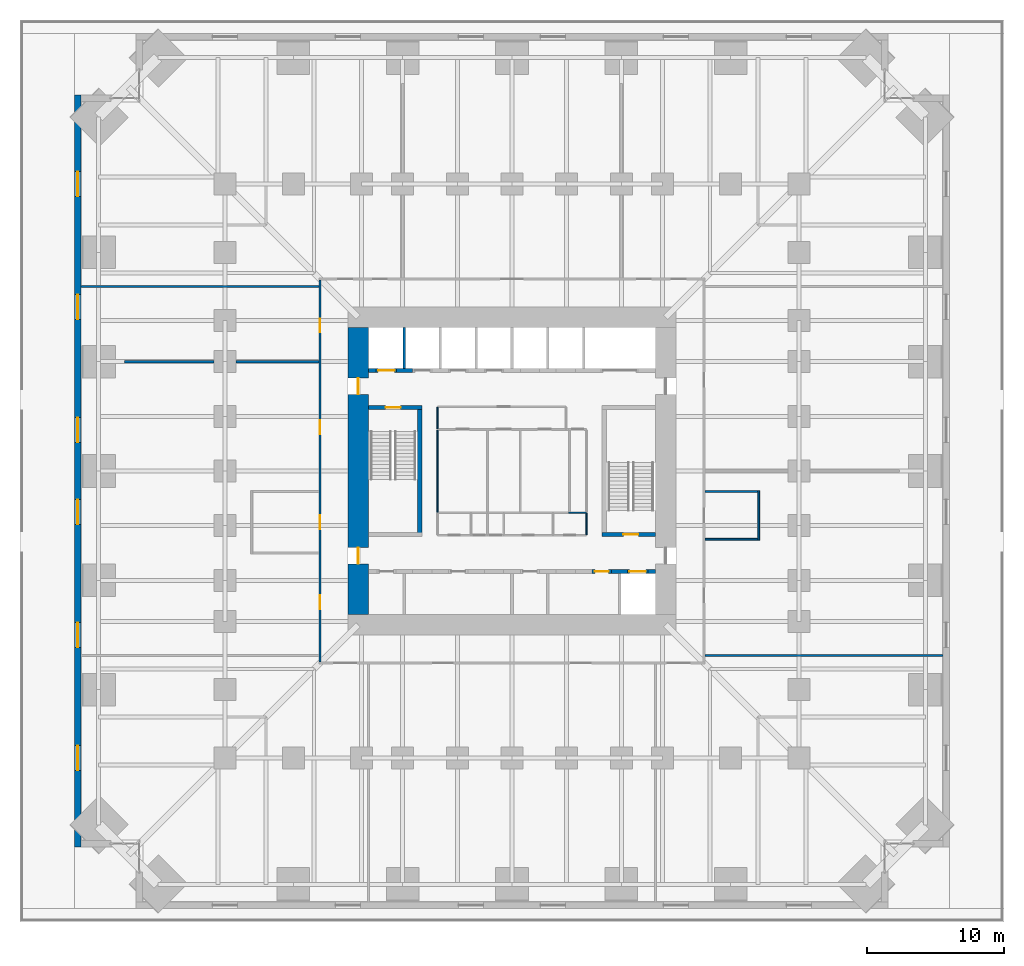
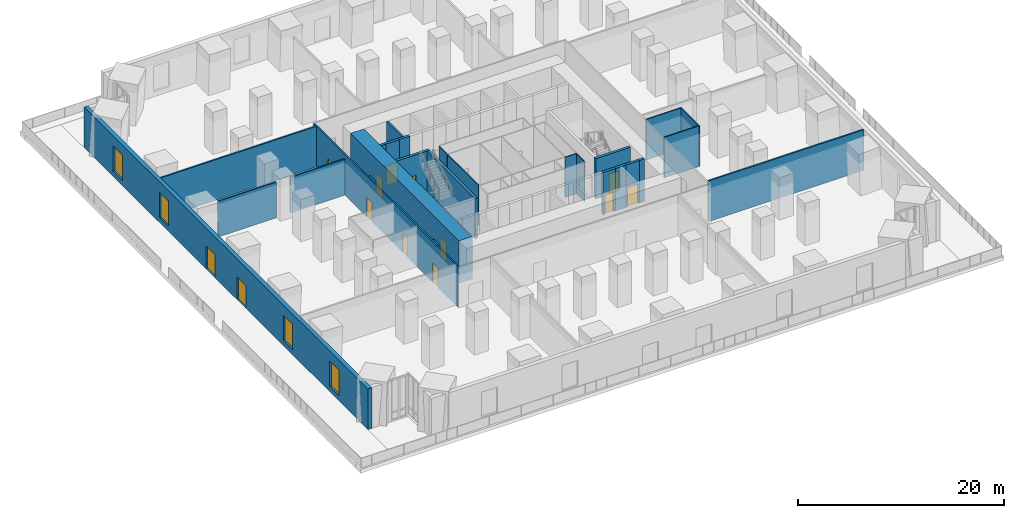
# One storey, part 21 of 26: 25 walls, 13 doors, 4 windows, 17 openings.
"""IFC4 building model written with IfcOpenShell, lengths in metres."""

from ifc_helpers import new_model, si_unit, direction, frame, frame_2d, origin, place, context, subcontext, project, spatial, rectangle, extrude, material, layer, layer_set, type_object, element, fill, save


model = new_model("IFC4")

# Units and contexts
model_context = context("Model", 3, precision=1e-05, world=origin(), true_north=direction((0.0, 1.0)))
body_context = subcontext(model_context, "Body", "Model", "MODEL_VIEW")
ifc_project = project(units=[si_unit("LENGTHUNIT", "METRE"), si_unit("AREAUNIT", "SQUARE_METRE"), si_unit("VOLUMEUNIT", "CUBIC_METRE"), si_unit("PLANEANGLEUNIT", "RADIAN"), si_unit("MASSUNIT", "GRAM", prefix="KILO")], contexts=[model_context])

# Site, building, storey
site_placement = place(None, origin())
site = spatial("IfcSite", under=ifc_project, at=site_placement, CompositionType="ELEMENT")
building_placement = place(site_placement, origin())
building = spatial("IfcBuilding", under=site, at=building_placement, Name="Peilmerk Tower", CompositionType="ELEMENT")
storey_placement = place(building_placement, frame((0.0, 0.0, 16.0)))
storey = spatial("IfcBuildingStorey", under=building, at=storey_placement, Name="L03", CompositionType="ELEMENT", Elevation=16.0)

# Wall, openings, doors, windows
ifc_material_1 = material(Name="Precast concrete C45/55, board-marked finish", Category="concrete")
ifc_layer_1 = layer(ifc_material_1, 0.449951171875)
ifc_layer_set_1 = layer_set([ifc_layer_1], Name="Precast concrete C45/55, board-marked finish")
wall_type_1 = type_object("IfcWallType", Name="EW1 450 precast concrete facade wall, board-marked", PredefinedType="SOLIDWALL", material=ifc_layer_set_1)
wall_1_placement = place(storey_placement, frame((-31.77490234375, 27.5, 0.0), z_axis=(0.0, 0.0, 1.0), x_axis=(0.0, -1.0, 0.0)))
wall_1 = element("IfcWall", 1, at=wall_1_placement, inside=storey, type_object=wall_type_1, Name="Facade wall W L03", PredefinedType="SOLIDWALL", context=body_context, shape_type="SweptSolid", body=[
    extrude(rectangle(XDim=55.0, YDim=0.449951171875, at=frame_2d((27.5, 0.0))), origin(), (0.0, 0.0, 1.0), 4.800048828125),
])
opening_1_placement = place(wall_1_placement, frame((5.60009765625, 0.0, 0.60009765625)))
opening_1 = element("IfcOpeningElement", 2, at=opening_1_placement, cuts=wall_1, Name="Opening W7", PredefinedType="OPENING", context=body_context, shape_type="SweptSolid", body=[
    extrude(rectangle(XDim=1.800048828125, YDim=3.0, at=frame_2d((0.89990234375, 1.5))), frame((0.0, 0.23486328125, 0.0), z_axis=(0.0, -1.0, 0.0), x_axis=(1.0, 0.0, 0.0)), (0.0, 0.0, 1.0), 0.469970703125),
])
opening_2_placement = place(wall_1_placement, frame((14.60009765625, 0.0, 0.60009765625)))
opening_2 = element("IfcOpeningElement", 3, at=opening_2_placement, cuts=wall_1, Name="Opening W7", PredefinedType="OPENING", context=body_context, shape_type="SweptSolid", body=[
    extrude(rectangle(XDim=1.800048828125, YDim=3.0, at=frame_2d((0.89990234375, 1.5))), frame((0.0, 0.23486328125, 0.0), z_axis=(0.0, -1.0, 0.0), x_axis=(1.0, 0.0, 0.0)), (0.0, 0.0, 1.0), 0.469970703125),
])
opening_3_placement = place(wall_1_placement, frame((38.60009765625, 0.0, 0.60009765625)))
opening_3 = element("IfcOpeningElement", 4, at=opening_3_placement, cuts=wall_1, Name="Opening W7", PredefinedType="OPENING", context=body_context, shape_type="SweptSolid", body=[
    extrude(rectangle(XDim=1.800048828125, YDim=3.0, at=frame_2d((0.89990234375, 1.5))), frame((0.0, 0.23486328125, 0.0), z_axis=(0.0, -1.0, 0.0), x_axis=(1.0, 0.0, 0.0)), (0.0, 0.0, 1.0), 0.469970703125),
])
opening_4_placement = place(wall_1_placement, frame((47.60009765625, 0.0, 0.60009765625)))
opening_4 = element("IfcOpeningElement", 5, at=opening_4_placement, cuts=wall_1, Name="Opening W7", PredefinedType="OPENING", context=body_context, shape_type="SweptSolid", body=[
    extrude(rectangle(XDim=1.800048828125, YDim=3.0, at=frame_2d((0.89990234375, 1.5))), frame((0.0, 0.23486328125, 0.0), z_axis=(0.0, -1.0, 0.0), x_axis=(1.0, 0.0, 0.0)), (0.0, 0.0, 1.0), 0.469970703125),
])
opening_5_placement = place(wall_1_placement, frame((23.60009765625, 0.0, 0.0)))
opening_5 = element("IfcOpeningElement", 6, at=opening_5_placement, cuts=wall_1, Name="Opening ED4", PredefinedType="OPENING", context=body_context, shape_type="SweptSolid", body=[
    extrude(rectangle(XDim=1.800048828125, YDim=2.699951171875, at=frame_2d((0.89990234375, 1.35009765625))), frame((0.0, 0.23486328125, 0.0), z_axis=(0.0, -1.0, 0.0), x_axis=(1.0, 0.0, 0.0)), (0.0, 0.0, 1.0), 0.469970703125),
])
opening_6_placement = place(wall_1_placement, frame((29.60009765625, 0.0, 0.0)))
opening_6 = element("IfcOpeningElement", 7, at=opening_6_placement, cuts=wall_1, Name="Opening ED4", PredefinedType="OPENING", context=body_context, shape_type="SweptSolid", body=[
    extrude(rectangle(XDim=1.800048828125, YDim=2.699951171875, at=frame_2d((0.89990234375, 1.35009765625))), frame((0.0, 0.23486328125, 0.0), z_axis=(0.0, -1.0, 0.0), x_axis=(1.0, 0.0, 0.0)), (0.0, 0.0, 1.0), 0.469970703125),
])
ifc_material_2 = material(Name="Aluminium frame, clear glazing", Category="aluminium")
door_type_1 = type_object("IfcDoorType", Name="ED4 1800x2700 terrace door pair, glazed", OperationType="DOUBLE_DOOR_DOUBLE_SWING", PredefinedType="DOOR", material=ifc_material_2)
door_1_placement = place(opening_5_placement, frame((1.800048828125, 0.0, 0.0), z_axis=(0.0, 0.0, 1.0), x_axis=(-1.0, 0.0, 0.0)))
door_1 = element("IfcDoor", 8, at=door_1_placement, inside=storey, type_object=door_type_1, Name="Terrace door pair, glazed L03", OperationType="DOUBLE_DOOR_DOUBLE_SWING", OverallHeight=2.699951171875, OverallWidth=1.800048828125, PredefinedType="DOOR", context=body_context, shape_type="SweptSolid", body=[
    extrude(rectangle(XDim=1.800048828125, YDim=2.699951171875, at=frame_2d((0.89990234375, 1.35009765625))), frame((0.0, 0.02490234375, 0.0), z_axis=(0.0, -1.0, 0.0), x_axis=(1.0, 0.0, 0.0)), (0.0, 0.0, 1.0), 0.050048828125),
])
fill(opening_5, door_1)
door_2_placement = place(opening_6_placement, frame((1.800048828125, 0.0, 0.0), z_axis=(0.0, 0.0, 1.0), x_axis=(-1.0, 0.0, 0.0)))
door_2 = element("IfcDoor", 9, at=door_2_placement, inside=storey, type_object=door_type_1, Name="Terrace door pair, glazed L03", OperationType="DOUBLE_DOOR_DOUBLE_SWING", OverallHeight=2.699951171875, OverallWidth=1.800048828125, PredefinedType="DOOR", context=body_context, shape_type="SweptSolid", body=[
    extrude(rectangle(XDim=1.800048828125, YDim=2.699951171875, at=frame_2d((0.89990234375, 1.35009765625))), frame((0.0, 0.02490234375, 0.0), z_axis=(0.0, -1.0, 0.0), x_axis=(1.0, 0.0, 0.0)), (0.0, 0.0, 1.0), 0.050048828125),
])
fill(opening_6, door_2)
ifc_material_3 = material(Name="Aluminium frame, clear double glazing", Category="aluminium")
window_type = type_object("IfcWindowType", Name="W7 1800x3000 podium window", PartitioningType="SINGLE_PANEL", PredefinedType="WINDOW", material=ifc_material_3)
window_1_placement = place(opening_1_placement, origin())
window_1 = element("IfcWindow", 10, at=window_1_placement, inside=storey, type_object=window_type, Name="Window W7 L03", OverallHeight=3.0, OverallWidth=1.800048828125, PartitioningType="SINGLE_PANEL", PredefinedType="WINDOW", context=body_context, shape_type="SweptSolid", body=[
    extrude(rectangle(XDim=1.800048828125, YDim=3.0, at=frame_2d((0.89990234375, 1.5))), frame((0.0, 0.030029296875, 0.0), z_axis=(0.0, -1.0, 0.0), x_axis=(1.0, 0.0, 0.0)), (0.0, 0.0, 1.0), 0.06005859375),
])
fill(opening_1, window_1)
window_2_placement = place(opening_2_placement, origin())
window_2 = element("IfcWindow", 11, at=window_2_placement, inside=storey, type_object=window_type, Name="Window W7 L03", OverallHeight=3.0, OverallWidth=1.800048828125, PartitioningType="SINGLE_PANEL", PredefinedType="WINDOW", context=body_context, shape_type="SweptSolid", body=[
    extrude(rectangle(XDim=1.800048828125, YDim=3.0, at=frame_2d((0.89990234375, 1.5))), frame((0.0, 0.030029296875, 0.0), z_axis=(0.0, -1.0, 0.0), x_axis=(1.0, 0.0, 0.0)), (0.0, 0.0, 1.0), 0.06005859375),
])
fill(opening_2, window_2)
window_3_placement = place(opening_3_placement, origin())
window_3 = element("IfcWindow", 12, at=window_3_placement, inside=storey, type_object=window_type, Name="Window W7 L03", OverallHeight=3.0, OverallWidth=1.800048828125, PartitioningType="SINGLE_PANEL", PredefinedType="WINDOW", context=body_context, shape_type="SweptSolid", body=[
    extrude(rectangle(XDim=1.800048828125, YDim=3.0, at=frame_2d((0.89990234375, 1.5))), frame((0.0, 0.030029296875, 0.0), z_axis=(0.0, -1.0, 0.0), x_axis=(1.0, 0.0, 0.0)), (0.0, 0.0, 1.0), 0.06005859375),
])
fill(opening_3, window_3)
window_4_placement = place(opening_4_placement, origin())
window_4 = element("IfcWindow", 13, at=window_4_placement, inside=storey, type_object=window_type, Name="Window W7 L03", OverallHeight=3.0, OverallWidth=1.800048828125, PartitioningType="SINGLE_PANEL", PredefinedType="WINDOW", context=body_context, shape_type="SweptSolid", body=[
    extrude(rectangle(XDim=1.800048828125, YDim=3.0, at=frame_2d((0.89990234375, 1.5))), frame((0.0, 0.030029296875, 0.0), z_axis=(0.0, -1.0, 0.0), x_axis=(1.0, 0.0, 0.0)), (0.0, 0.0, 1.0), 0.06005859375),
])
fill(opening_4, window_4)

# Wall, openings, doors
ifc_material_4 = material(Name="Calcium silicate block", Category="masonry")
ifc_layer_2 = layer(ifc_material_4, 0.14990234375)
ifc_layer_set_2 = layer_set([ifc_layer_2], Name="Calcium silicate block")
wall_type_2 = type_object("IfcWallType", Name="IW1 150 corridor partition, EI 60", PredefinedType="PARTITIONING", material=ifc_layer_set_2)
wall_2_placement = place(storey_placement, frame((-14.050048828125, 13.97509765625, 0.0), z_axis=(0.0, 0.0, 1.0), x_axis=(0.0, -1.0, 0.0)))
wall_2 = element("IfcWall", 14, at=wall_2_placement, inside=storey, type_object=wall_type_2, Name="Corridor wall W L03", PredefinedType="PARTITIONING", context=body_context, shape_type="SweptSolid", body=[
    extrude(rectangle(XDim=27.9501953125, YDim=0.14990234375, at=frame_2d((13.97509765625, 0.0))), origin(), (0.0, 0.0, 1.0), 4.800048828125),
])
opening_7_placement = place(wall_2_placement, frame((23.074951171875, 0.0, 0.0)))
opening_7 = element("IfcOpeningElement", 15, at=opening_7_placement, cuts=wall_2, Name="Opening D1", PredefinedType="OPENING", context=body_context, shape_type="SweptSolid", body=[
    extrude(rectangle(XDim=1.0, YDim=2.300048828125, at=frame_2d((0.5, 1.14990234375))), frame((0.0, 0.0849609375, 0.0), z_axis=(0.0, -1.0, 0.0), x_axis=(1.0, 0.0, 0.0)), (0.0, 0.0, 1.0), 0.169921875),
])
opening_8_placement = place(wall_2_placement, frame((10.27490234375, 0.0, 0.0)))
opening_8 = element("IfcOpeningElement", 16, at=opening_8_placement, cuts=wall_2, Name="Opening D1", PredefinedType="OPENING", context=body_context, shape_type="SweptSolid", body=[
    extrude(rectangle(XDim=1.0, YDim=2.300048828125, at=frame_2d((0.5, 1.14990234375))), frame((0.0, 0.0849609375, 0.0), z_axis=(0.0, -1.0, 0.0), x_axis=(1.0, 0.0, 0.0)), (0.0, 0.0, 1.0), 0.169921875),
])
opening_9_placement = place(wall_2_placement, frame((2.824951171875, 0.0, 0.0)))
opening_9 = element("IfcOpeningElement", 17, at=opening_9_placement, cuts=wall_2, Name="Opening D1", PredefinedType="OPENING", context=body_context, shape_type="SweptSolid", body=[
    extrude(rectangle(XDim=1.0, YDim=2.300048828125, at=frame_2d((0.5, 1.14990234375))), frame((0.0, 0.0849609375, 0.0), z_axis=(0.0, -1.0, 0.0), x_axis=(1.0, 0.0, 0.0)), (0.0, 0.0, 1.0), 0.169921875),
])
opening_10_placement = place(wall_2_placement, frame((17.22509765625, 0.0, 0.0)))
opening_10 = element("IfcOpeningElement", 18, at=opening_10_placement, cuts=wall_2, Name="Opening D1", PredefinedType="OPENING", context=body_context, shape_type="SweptSolid", body=[
    extrude(rectangle(XDim=1.0, YDim=2.300048828125, at=frame_2d((0.5, 1.14990234375))), frame((0.0, 0.0849609375, 0.0), z_axis=(0.0, -1.0, 0.0), x_axis=(1.0, 0.0, 0.0)), (0.0, 0.0, 1.0), 0.169921875),
])
ifc_material_5 = material(Name="Timber door in steel frame", Category="steel")
door_type_2 = type_object("IfcDoorType", Name="D1 1000x2300 room door, EI2 30", OperationType="SINGLE_SWING_LEFT", PredefinedType="DOOR", material=ifc_material_5)
door_3_placement = place(opening_7_placement, frame((1.0, 0.0, 0.0), z_axis=(0.0, 0.0, 1.0), x_axis=(-1.0, 0.0, 0.0)))
door_3 = element("IfcDoor", 19, at=door_3_placement, inside=storey, type_object=door_type_2, Name="Door Office L03", OperationType="SINGLE_SWING_LEFT", OverallHeight=2.300048828125, OverallWidth=1.0, PredefinedType="DOOR", context=body_context, shape_type="SweptSolid", body=[
    extrude(rectangle(XDim=1.0, YDim=2.300048828125, at=frame_2d((0.5, 1.14990234375))), frame((0.0, 0.02490234375, 0.0), z_axis=(0.0, -1.0, 0.0), x_axis=(1.0, 0.0, 0.0)), (0.0, 0.0, 1.0), 0.050048828125),
])
fill(opening_7, door_3)
door_4_placement = place(opening_8_placement, frame((1.0, 0.0, 0.0), z_axis=(0.0, 0.0, 1.0), x_axis=(-1.0, 0.0, 0.0)))
door_4 = element("IfcDoor", 20, at=door_4_placement, inside=storey, type_object=door_type_2, Name="Door Office L03", OperationType="SINGLE_SWING_LEFT", OverallHeight=2.300048828125, OverallWidth=1.0, PredefinedType="DOOR", context=body_context, shape_type="SweptSolid", body=[
    extrude(rectangle(XDim=1.0, YDim=2.300048828125, at=frame_2d((0.5, 1.14990234375))), frame((0.0, 0.02490234375, 0.0), z_axis=(0.0, -1.0, 0.0), x_axis=(1.0, 0.0, 0.0)), (0.0, 0.0, 1.0), 0.050048828125),
])
fill(opening_8, door_4)
door_5_placement = place(opening_9_placement, frame((1.0, 0.0, 0.0), z_axis=(0.0, 0.0, 1.0), x_axis=(-1.0, 0.0, 0.0)))
door_5 = element("IfcDoor", 21, at=door_5_placement, inside=storey, type_object=door_type_2, Name="Door Changing room L03", OperationType="SINGLE_SWING_LEFT", OverallHeight=2.300048828125, OverallWidth=1.0, PredefinedType="DOOR", context=body_context, shape_type="SweptSolid", body=[
    extrude(rectangle(XDim=1.0, YDim=2.300048828125, at=frame_2d((0.5, 1.14990234375))), frame((0.0, 0.02490234375, 0.0), z_axis=(0.0, -1.0, 0.0), x_axis=(1.0, 0.0, 0.0)), (0.0, 0.0, 1.0), 0.050048828125),
])
fill(opening_9, door_5)
door_6_placement = place(opening_10_placement, frame((1.0, 0.0, 0.0), z_axis=(0.0, 0.0, 1.0), x_axis=(-1.0, 0.0, 0.0)))
door_6 = element("IfcDoor", 22, at=door_6_placement, inside=storey, type_object=door_type_2, Name="Door Meeting room L03", OperationType="SINGLE_SWING_LEFT", OverallHeight=2.300048828125, OverallWidth=1.0, PredefinedType="DOOR", context=body_context, shape_type="SweptSolid", body=[
    extrude(rectangle(XDim=1.0, YDim=2.300048828125, at=frame_2d((0.5, 1.14990234375))), frame((0.0, 0.02490234375, 0.0), z_axis=(0.0, -1.0, 0.0), x_axis=(1.0, 0.0, 0.0)), (0.0, 0.0, 1.0), 0.050048828125),
])
fill(opening_10, door_6)

# Wall
ifc_material_6 = material(Name="Concrete C35/45", Category="concrete")
ifc_layer_3 = layer(ifc_material_6, 0.300048828125)
ifc_layer_set_3 = layer_set([ifc_layer_3], Name="Concrete C35/45")
wall_type_3 = type_object("IfcWallType", Name="IW3 300 concrete stair enclosure wall, EI 120", PredefinedType="SOLIDWALL", material=ifc_layer_set_3)
wall_3_placement = place(storey_placement, frame((-6.75, -4.800048828125, 0.0), z_axis=(0.0, 0.0, 1.0), x_axis=(0.0, 1.0, 0.0)))
element("IfcWall", 23, at=wall_3_placement, inside=storey, type_object=wall_type_3, Name="Stair 1 enclosure L03", PredefinedType="SOLIDWALL", context=body_context, shape_type="SweptSolid", body=[
    extrude(rectangle(XDim=9.60009765625, YDim=0.300048828125, at=frame_2d((4.800048828125, 0.0))), origin(), (0.0, 0.0, 1.0), 4.75),
])

# Wall, opening, door
wall_4_placement = place(storey_placement, frame((-10.5, 4.64990234375, 0.0), z_axis=(0.0, 0.0, 1.0), x_axis=(1.0, 0.0, 0.0)))
wall_4 = element("IfcWall", 24, at=wall_4_placement, inside=storey, type_object=wall_type_3, Name="Stair 1 enclosure L03", PredefinedType="SOLIDWALL", context=body_context, shape_type="SweptSolid", body=[
    extrude(rectangle(XDim=3.89990234375, YDim=0.300048828125, at=frame_2d((1.949951171875, 0.0))), origin(), (0.0, 0.0, 1.0), 4.75),
])
opening_11_placement = place(wall_4_placement, frame((1.25, 0.0, 0.0)))
opening_11 = element("IfcOpeningElement", 25, at=opening_11_placement, cuts=wall_4, Name="Opening D4", PredefinedType="OPENING", context=body_context, shape_type="SweptSolid", body=[
    extrude(rectangle(XDim=1.10009765625, YDim=2.300048828125, at=frame_2d((0.550048828125, 1.14990234375))), frame((0.0, 0.159912109375, 0.0), z_axis=(0.0, -1.0, 0.0), x_axis=(1.0, 0.0, 0.0)), (0.0, 0.0, 1.0), 0.320068359375),
])
ifc_material_7 = material(Name="Steel door in steel frame", Category="steel")
door_type_3 = type_object("IfcDoorType", Name="D4 1100x2300 stair door, EI2 60", OperationType="SINGLE_SWING_RIGHT", PredefinedType="DOOR", material=ifc_material_7)
door_7_placement = place(opening_11_placement, frame((1.10009765625, 0.0, 0.0), z_axis=(0.0, 0.0, 1.0), x_axis=(-1.0, 0.0, 0.0)))
door_7 = element("IfcDoor", 26, at=door_7_placement, inside=storey, type_object=door_type_3, Name="Stair 1 door L03", OperationType="SINGLE_SWING_RIGHT", OverallHeight=2.300048828125, OverallWidth=1.10009765625, PredefinedType="DOOR", context=body_context, shape_type="SweptSolid", body=[
    extrude(rectangle(XDim=1.10009765625, YDim=2.300048828125, at=frame_2d((0.550048828125, 1.14990234375))), frame((0.0, 0.02490234375, 0.0), z_axis=(0.0, -1.0, 0.0), x_axis=(1.0, 0.0, 0.0)), (0.0, 0.0, 1.0), 0.050048828125),
])
fill(opening_11, door_7)

wall_5_placement = place(storey_placement, frame((10.5, -4.64990234375, 0.0), z_axis=(0.0, 0.0, 1.0), x_axis=(-1.0, 0.0, 0.0)))
wall_5 = element("IfcWall", 27, at=wall_5_placement, inside=storey, type_object=wall_type_3, Name="Stair 2 enclosure L03", PredefinedType="SOLIDWALL", context=body_context, shape_type="SweptSolid", body=[
    extrude(rectangle(XDim=3.89990234375, YDim=0.300048828125, at=frame_2d((1.949951171875, 0.0))), origin(), (0.0, 0.0, 1.0), 4.75),
])
opening_12_placement = place(wall_5_placement, frame((1.25, 0.0, 0.0)))
opening_12 = element("IfcOpeningElement", 28, at=opening_12_placement, cuts=wall_5, Name="Opening D4", PredefinedType="OPENING", context=body_context, shape_type="SweptSolid", body=[
    extrude(rectangle(XDim=1.10009765625, YDim=2.300048828125, at=frame_2d((0.550048828125, 1.14990234375))), frame((0.0, 0.159912109375, 0.0), z_axis=(0.0, -1.0, 0.0), x_axis=(1.0, 0.0, 0.0)), (0.0, 0.0, 1.0), 0.320068359375),
])
door_8_placement = place(opening_12_placement, frame((1.10009765625, 0.0, 0.0), z_axis=(0.0, 0.0, 1.0), x_axis=(-1.0, 0.0, 0.0)))
door_8 = element("IfcDoor", 29, at=door_8_placement, inside=storey, type_object=door_type_3, Name="Stair 2 door L03", OperationType="SINGLE_SWING_RIGHT", OverallHeight=2.300048828125, OverallWidth=1.10009765625, PredefinedType="DOOR", context=body_context, shape_type="SweptSolid", body=[
    extrude(rectangle(XDim=1.10009765625, YDim=2.300048828125, at=frame_2d((0.550048828125, 1.14990234375))), frame((0.0, 0.02490234375, 0.0), z_axis=(0.0, -1.0, 0.0), x_axis=(1.0, 0.0, 0.0)), (0.0, 0.0, 1.0), 0.050048828125),
])
fill(opening_12, door_8)

# Walls
ifc_material_8 = material(Name="Plasterboard on steel studs", Category="steel")
ifc_layer_4 = layer(ifc_material_8, 0.10009765625)
ifc_layer_set_4 = layer_set([ifc_layer_4], Name="Plasterboard on steel studs")
wall_type_4 = type_object("IfcWallType", Name="IW4 100 WC partition", PredefinedType="PARTITIONING", material=ifc_layer_set_4)
wall_6_placement = place(storey_placement, frame((-5.449951171875, -3.0, 0.0), z_axis=(0.0, 0.0, 1.0), x_axis=(0.0, 1.0, 0.0)))
element("IfcWall", 30, at=wall_6_placement, inside=storey, type_object=wall_type_4, Name="WC wall L03", PredefinedType="PARTITIONING", context=body_context, shape_type="SweptSolid", body=[
    extrude(rectangle(XDim=6.0, YDim=0.10009765625, at=frame_2d((3.0, 0.0))), origin(), (0.0, 0.0, 1.0), 4.75),
])
ifc_material_9 = material(Name="Calcium silicate board on steel studs", Category="steel")
ifc_layer_5 = layer(ifc_material_9, 0.10009765625)
ifc_layer_set_5 = layer_set([ifc_layer_5], Name="Calcium silicate board on steel studs")
wall_type_5 = type_object("IfcWallType", Name="IW5 100 riser enclosure wall, EI 60", PredefinedType="PARTITIONING", material=ifc_layer_set_5)
wall_7_placement = place(storey_placement, frame((5.449951171875, -3.050048828125, 0.0), z_axis=(0.0, 0.0, 1.0), x_axis=(-1.0, 0.0, 0.0)))
element("IfcWall", 31, at=wall_7_placement, inside=storey, type_object=wall_type_5, Name="Riser wall L03", PredefinedType="PARTITIONING", context=body_context, shape_type="SweptSolid", body=[
    extrude(rectangle(XDim=1.300048828125, YDim=0.10009765625, at=frame_2d((0.64990234375, 0.0))), origin(), (0.0, 0.0, 1.0), 4.75),
])
wall_8_placement = place(storey_placement, frame((5.449951171875, -3.10009765625, 0.0), z_axis=(0.0, 0.0, 1.0), x_axis=(0.0, -1.0, 0.0)))
element("IfcWall", 32, at=wall_8_placement, inside=storey, type_object=wall_type_5, Name="Riser wall L03", PredefinedType="PARTITIONING", context=body_context, shape_type="SweptSolid", body=[
    extrude(rectangle(XDim=1.5498046875, YDim=0.10009765625, at=frame_2d((0.77490234375, 0.0))), origin(), (0.0, 0.0, 1.0), 4.75),
])
ifc_material_10 = material(Name="Plasterboard on steel studs, double boarded with mineral wool", Category="steel")
ifc_layer_6 = layer(ifc_material_10, 0.125)
ifc_layer_set_6 = layer_set([ifc_layer_6], Name="Plasterboard on steel studs, double boarded with mineral wool")
wall_type_6 = type_object("IfcWallType", Name="IW7 125 acoustic partition, EI 30", PredefinedType="PARTITIONING", material=ifc_layer_set_6)
wall_9_placement = place(storey_placement, frame((18.050048828125, -5.0625, 0.0), z_axis=(0.0, 0.0, 1.0), x_axis=(0.0, 1.0, 0.0)))
element("IfcWall", 33, at=wall_9_placement, inside=storey, type_object=wall_type_6, Name="Acoustic partition Pantry L03", PredefinedType="PARTITIONING", context=body_context, shape_type="SweptSolid", body=[
    extrude(rectangle(XDim=3.625, YDim=0.125, at=frame_2d((1.8125, 0.0))), origin(), (0.0, 0.0, 1.0), 4.800048828125),
])
for number, where, z_axis, x_axis, name in (
    (34, (14.125, -5.0, 0.0), (0.0, 0.0, 1.0), (1.0, 0.0, 0.0), "Acoustic partition Pantry L03"),
    (35, (14.125, -1.5, 0.0), (0.0, 0.0, 1.0), (1.0, 0.0, 0.0), "Acoustic partition Pantry L03"),
):
    element("IfcWall", number, at=place(storey_placement, frame(where, z_axis=z_axis, x_axis=x_axis)), inside=storey, type_object=wall_type_6, Name=name, PredefinedType="PARTITIONING", context=body_context, shape_type="SweptSolid", body=[
        extrude(rectangle(XDim=3.862548828125, YDim=0.125, at=frame_2d((1.93115234375, 0.0))), origin(), (0.0, 0.0, 1.0), 4.800048828125),
    ])
ifc_layer_7 = layer(ifc_material_4, 0.175048828125)
ifc_layer_set_7 = layer_set([ifc_layer_7], Name="Calcium silicate block")
wall_type_7 = type_object("IfcWallType", Name="IW8 175 tenant separating wall, EI 60", PredefinedType="PARTITIONING", material=ifc_layer_set_7)
for number, where, z_axis, x_axis, name in (
    (36, (-31.550048828125, 13.5, 0.0), (0.0, 0.0, 1.0), (1.0, 0.0, 0.0), "Tenant separating wall NW L03"),
    (37, (31.550048828125, -13.5, 0.0), (0.0, 0.0, 1.0), (-1.0, 0.0, 0.0), "Tenant separating wall SE L03"),
):
    element("IfcWall", number, at=place(storey_placement, frame(where, z_axis=z_axis, x_axis=x_axis)), inside=storey, type_object=wall_type_7, Name=name, PredefinedType="PARTITIONING", context=body_context, shape_type="SweptSolid", body=[
        extrude(rectangle(XDim=17.425048828125, YDim=0.175048828125, at=frame_2d((8.71240234375, 0.0))), origin(), (0.0, 0.0, 1.0), 4.800048828125),
    ])
wall_10_placement = place(storey_placement, frame((-14.125, 8.0, 0.0), z_axis=(0.0, 0.0, 1.0), x_axis=(-1.0, 0.0, 0.0)))
element("IfcWall", 38, at=wall_10_placement, inside=storey, type_object=wall_type_7, Name="Tenant separating wall W1 L03", PredefinedType="PARTITIONING", context=body_context, shape_type="SweptSolid", body=[
    extrude(rectangle(XDim=6.074951171875, YDim=0.175048828125, at=frame_2d((3.03759765625, 0.0))), origin(), (0.0, 0.0, 1.0), 4.23095703125),
])
wall_11_placement = place(storey_placement, frame((-21.800048828125, 8.0, 0.0), z_axis=(0.0, 0.0, 1.0), x_axis=(-1.0, 0.0, 0.0)))
element("IfcWall", 39, at=wall_11_placement, inside=storey, type_object=wall_type_7, Name="Tenant separating wall W1b L03", PredefinedType="PARTITIONING", context=body_context, shape_type="SweptSolid", body=[
    extrude(rectangle(XDim=6.552978515625, YDim=0.175048828125, at=frame_2d((3.2763671875, 0.0))), origin(), (0.0, 0.0, 1.0), 4.23095703125),
])
ifc_material_11 = material(Name="Fire-resisting plasterboard on steel studs", Category="steel")
ifc_layer_8 = layer(ifc_material_11, 0.10009765625)
ifc_layer_set_8 = layer_set([ifc_layer_8], Name="Fire-resisting plasterboard on steel studs")
wall_type_8 = type_object("IfcWallType", Name="IW9 100 WC lobby wall, EI 30", PredefinedType="PARTITIONING", material=ifc_layer_set_8)
wall_12_placement = place(storey_placement, frame((-5.449951171875, 3.10009765625, 0.0), z_axis=(0.0, 0.0, 1.0), x_axis=(0.0, 1.0, 0.0)))
element("IfcWall", 40, at=wall_12_placement, inside=storey, type_object=wall_type_8, Name="WC lobby wall L03", PredefinedType="PARTITIONING", context=body_context, shape_type="SweptSolid", body=[
    extrude(rectangle(XDim=1.5498046875, YDim=0.10009765625, at=frame_2d((0.77490234375, 0.0))), origin(), (0.0, 0.0, 1.0), 4.75),
])
ifc_layer_9 = layer(ifc_material_4, 0.199951171875)
ifc_layer_set_9 = layer_set([ifc_layer_9], Name="Calcium silicate block")
wall_type_9 = type_object("IfcWallType", Name="SH1 200 shaft dividing wall, EI 120", PredefinedType="PARTITIONING", material=ifc_layer_set_9)
wall_13_placement = place(storey_placement, frame((-7.875, 7.5, 0.0), z_axis=(0.0, 0.0, 1.0), x_axis=(0.0, 1.0, 0.0)))
element("IfcWall", 41, at=wall_13_placement, inside=storey, type_object=wall_type_9, Name="Shaft wall N FL1 L03", PredefinedType="PARTITIONING", context=body_context, shape_type="SweptSolid", body=[
    extrude(rectangle(XDim=3.0, YDim=0.199951171875, at=frame_2d((1.5, 0.0))), origin(), (0.0, 0.0, 1.0), 5.0),
])

# Wall, opening, door
ifc_layer_10 = layer(ifc_material_4, 0.300048828125)
ifc_layer_set_10 = layer_set([ifc_layer_10], Name="Calcium silicate block")
wall_type_10 = type_object("IfcWallType", Name="SH2 300 lift landing door panel, EI 120", PredefinedType="PARTITIONING", material=ifc_layer_set_10)
wall_14_placement = place(storey_placement, frame((-9.9375, 7.35009765625, 0.0), z_axis=(0.0, 0.0, 1.0), x_axis=(1.0, 0.0, 0.0)))
wall_14 = element("IfcWall", 42, at=wall_14_placement, inside=storey, type_object=wall_type_10, Name="Lift door panel N FL1 L03", PredefinedType="PARTITIONING", context=body_context, shape_type="SweptSolid", body=[
    extrude(rectangle(XDim=1.5, YDim=0.300048828125, at=frame_2d((0.75, 0.0))), origin(), (0.0, 0.0, 1.0), 5.0),
])
opening_13_placement = place(wall_14_placement, frame((0.14990234375, 0.0, 0.0)))
opening_13 = element("IfcOpeningElement", 43, at=opening_13_placement, cuts=wall_14, Name="Opening LD2", PredefinedType="OPENING", context=body_context, shape_type="SweptSolid", body=[
    extrude(rectangle(XDim=1.199951171875, YDim=2.300048828125, at=frame_2d((0.60009765625, 1.14990234375))), frame((0.0, 0.159912109375, 0.0), z_axis=(0.0, -1.0, 0.0), x_axis=(1.0, 0.0, 0.0)), (0.0, 0.0, 1.0), 0.320068359375),
])
ifc_material_12 = material(Name="Stainless steel landing door", Category="steel")
door_type_4 = type_object("IfcDoorType", Name="LD2 1200x2300 lift landing door, sliding, EI2 60", OperationType="SLIDING_TO_LEFT", PredefinedType="DOOR", material=ifc_material_12)
door_9_placement = place(opening_13_placement, frame((1.199951171875, 0.0, 0.0), z_axis=(0.0, 0.0, 1.0), x_axis=(-1.0, 0.0, 0.0)))
door_9 = element("IfcDoor", 44, at=door_9_placement, inside=storey, type_object=door_type_4, Name="Lift landing door FL1 L03", OperationType="SLIDING_TO_LEFT", OverallHeight=2.300048828125, OverallWidth=1.199951171875, PredefinedType="DOOR", context=body_context, shape_type="SweptSolid", body=[
    extrude(rectangle(XDim=1.199951171875, YDim=2.300048828125, at=frame_2d((0.60009765625, 1.14990234375))), frame((0.0, 0.02490234375, 0.0), z_axis=(0.0, -1.0, 0.0), x_axis=(1.0, 0.0, 0.0)), (0.0, 0.0, 1.0), 0.050048828125),
])
fill(opening_13, door_9)

wall_15_placement = place(storey_placement, frame((5.862548828125, -7.35009765625, 0.0), z_axis=(0.0, 0.0, 1.0), x_axis=(1.0, 0.0, 0.0)))
wall_15 = element("IfcWall", 45, at=wall_15_placement, inside=storey, type_object=wall_type_10, Name="Lift door panel S B1 L03", PredefinedType="PARTITIONING", context=body_context, shape_type="SweptSolid", body=[
    extrude(rectangle(XDim=1.39990234375, YDim=0.300048828125, at=frame_2d((0.699951171875, 0.0))), origin(), (0.0, 0.0, 1.0), 5.0),
])
opening_14_placement = place(wall_15_placement, frame((0.199951171875, 0.0, 0.0)))
opening_14 = element("IfcOpeningElement", 46, at=opening_14_placement, cuts=wall_15, Name="Opening D10", PredefinedType="OPENING", context=body_context, shape_type="SweptSolid", body=[
    extrude(rectangle(XDim=1.0, YDim=2.300048828125, at=frame_2d((0.5, 1.14990234375))), frame((0.0, 0.159912109375, 0.0), z_axis=(0.0, -1.0, 0.0), x_axis=(1.0, 0.0, 0.0)), (0.0, 0.0, 1.0), 0.320068359375),
])
door_type_5 = type_object("IfcDoorType", Name="D10 1000x2300 core room door, EI2 60", OperationType="SINGLE_SWING_RIGHT", PredefinedType="DOOR", material=ifc_material_7)
door_10_placement = place(opening_14_placement, frame((1.0, 0.0, 0.0), z_axis=(0.0, 0.0, 1.0), x_axis=(-1.0, 0.0, 0.0)))
door_10 = element("IfcDoor", 47, at=door_10_placement, inside=storey, type_object=door_type_5, Name="Door Staff room L03", OperationType="SINGLE_SWING_RIGHT", OverallHeight=2.300048828125, OverallWidth=1.0, PredefinedType="DOOR", context=body_context, shape_type="SweptSolid", body=[
    extrude(rectangle(XDim=1.0, YDim=2.300048828125, at=frame_2d((0.5, 1.14990234375))), frame((0.0, 0.02490234375, 0.0), z_axis=(0.0, -1.0, 0.0), x_axis=(1.0, 0.0, 0.0)), (0.0, 0.0, 1.0), 0.050048828125),
])
fill(opening_14, door_10)

wall_16_placement = place(storey_placement, frame((8.4375, -7.35009765625, 0.0), z_axis=(0.0, 0.0, 1.0), x_axis=(1.0, 0.0, 0.0)))
wall_16 = element("IfcWall", 48, at=wall_16_placement, inside=storey, type_object=wall_type_10, Name="Lift door panel S FL2 L03", PredefinedType="PARTITIONING", context=body_context, shape_type="SweptSolid", body=[
    extrude(rectangle(XDim=1.5, YDim=0.300048828125, at=frame_2d((0.75, 0.0))), origin(), (0.0, 0.0, 1.0), 5.0),
])
opening_15_placement = place(wall_16_placement, frame((0.14990234375, 0.0, 0.0)))
opening_15 = element("IfcOpeningElement", 49, at=opening_15_placement, cuts=wall_16, Name="Opening LD2", PredefinedType="OPENING", context=body_context, shape_type="SweptSolid", body=[
    extrude(rectangle(XDim=1.199951171875, YDim=2.300048828125, at=frame_2d((0.60009765625, 1.14990234375))), frame((0.0, 0.159912109375, 0.0), z_axis=(0.0, -1.0, 0.0), x_axis=(1.0, 0.0, 0.0)), (0.0, 0.0, 1.0), 0.320068359375),
])
door_11_placement = place(opening_15_placement, origin())
door_11 = element("IfcDoor", 50, at=door_11_placement, inside=storey, type_object=door_type_4, Name="Lift landing door FL2 L03", OperationType="SLIDING_TO_LEFT", OverallHeight=2.300048828125, OverallWidth=1.199951171875, PredefinedType="DOOR", context=body_context, shape_type="SweptSolid", body=[
    extrude(rectangle(XDim=1.199951171875, YDim=2.300048828125, at=frame_2d((0.60009765625, 1.14990234375))), frame((0.0, 0.02490234375, 0.0), z_axis=(0.0, -1.0, 0.0), x_axis=(1.0, 0.0, 0.0)), (0.0, 0.0, 1.0), 0.050048828125),
])
fill(opening_15, door_11)

# Wall, openings, doors
ifc_material_13 = material(Name="Concrete C55/67", Category="concrete")
ifc_layer_11 = layer(ifc_material_13, 1.5)
ifc_layer_set_11 = layer_set([ifc_layer_11], Name="Concrete C55/67")
wall_type_11 = type_object("IfcWallType", Name="SW1 1500 core wall", PredefinedType="SHEAR", material=ifc_layer_set_11)
wall_17_placement = place(storey_placement, frame((-11.25, -10.5, 0.0), z_axis=(0.0, 0.0, 1.0), x_axis=(0.0, 1.0, 0.0)))
wall_17 = element("IfcWall", 51, at=wall_17_placement, inside=storey, type_object=wall_type_11, Name="Core wall W L03", PredefinedType="SHEAR", context=body_context, shape_type="SweptSolid", body=[
    extrude(rectangle(XDim=21.0, YDim=1.5, at=frame_2d((10.5, 0.0))), origin(), (0.0, 0.0, 1.0), 5.0),
])
opening_16_placement = place(wall_17_placement, frame((16.10009765625, 0.0, 0.0)))
opening_16 = element("IfcOpeningElement", 52, at=opening_16_placement, cuts=wall_17, Name="Opening D3", PredefinedType="OPENING", context=body_context, shape_type="SweptSolid", body=[
    extrude(rectangle(XDim=1.199951171875, YDim=2.300048828125, at=frame_2d((0.60009765625, 1.14990234375))), frame((0.0, 0.760009765625, 0.0), z_axis=(0.0, -1.0, 0.0), x_axis=(1.0, 0.0, 0.0)), (0.0, 0.0, 1.0), 1.52001953125),
])
opening_17_placement = place(wall_17_placement, frame((3.699951171875, 0.0, 0.0)))
opening_17 = element("IfcOpeningElement", 53, at=opening_17_placement, cuts=wall_17, Name="Opening D3", PredefinedType="OPENING", context=body_context, shape_type="SweptSolid", body=[
    extrude(rectangle(XDim=1.199951171875, YDim=2.300048828125, at=frame_2d((0.60009765625, 1.14990234375))), frame((0.0, 0.760009765625, 0.0), z_axis=(0.0, -1.0, 0.0), x_axis=(1.0, 0.0, 0.0)), (0.0, 0.0, 1.0), 1.52001953125),
])
door_type_6 = type_object("IfcDoorType", Name="D3 1200x2300 core door, EI2 60", OperationType="SINGLE_SWING_LEFT", PredefinedType="DOOR", material=ifc_material_7)
door_12_placement = place(opening_16_placement, frame((1.199951171875, 0.0, 0.0), z_axis=(0.0, 0.0, 1.0), x_axis=(-1.0, 0.0, 0.0)))
door_12 = element("IfcDoor", 54, at=door_12_placement, inside=storey, type_object=door_type_6, Name="Core door L03", OperationType="SINGLE_SWING_LEFT", OverallHeight=2.300048828125, OverallWidth=1.199951171875, PredefinedType="DOOR", context=body_context, shape_type="SweptSolid", body=[
    extrude(rectangle(XDim=1.199951171875, YDim=2.300048828125, at=frame_2d((0.60009765625, 1.14990234375))), frame((0.0, 0.02490234375, 0.0), z_axis=(0.0, -1.0, 0.0), x_axis=(1.0, 0.0, 0.0)), (0.0, 0.0, 1.0), 0.050048828125),
])
fill(opening_16, door_12)
door_13_placement = place(opening_17_placement, frame((1.199951171875, 0.0, 0.0), z_axis=(0.0, 0.0, 1.0), x_axis=(-1.0, 0.0, 0.0)))
door_13 = element("IfcDoor", 55, at=door_13_placement, inside=storey, type_object=door_type_6, Name="Core door L03", OperationType="SINGLE_SWING_LEFT", OverallHeight=2.300048828125, OverallWidth=1.199951171875, PredefinedType="DOOR", context=body_context, shape_type="SweptSolid", body=[
    extrude(rectangle(XDim=1.199951171875, YDim=2.300048828125, at=frame_2d((0.60009765625, 1.14990234375))), frame((0.0, 0.02490234375, 0.0), z_axis=(0.0, -1.0, 0.0), x_axis=(1.0, 0.0, 0.0)), (0.0, 0.0, 1.0), 0.050048828125),
])
fill(opening_17, door_13)

# Walls
ifc_layer_12 = layer(ifc_material_13, 0.300048828125)
ifc_layer_set_12 = layer_set([ifc_layer_12], Name="Concrete C55/67")
wall_type_12 = type_object("IfcWallType", Name="SW2 300 lift bank pier", PredefinedType="SHEAR", material=ifc_layer_set_12)
wall_18_placement = place(storey_placement, frame((-10.5, 7.35009765625, 0.0), z_axis=(0.0, 0.0, 1.0), x_axis=(1.0, 0.0, 0.0)))
element("IfcWall", 56, at=wall_18_placement, inside=storey, type_object=wall_type_12, Name="Lift bank pier N L03", PredefinedType="SHEAR", context=body_context, shape_type="SweptSolid", body=[
    extrude(rectangle(XDim=0.5625, YDim=0.300048828125, at=frame_2d((0.28125, 0.0))), origin(), (0.0, 0.0, 1.0), 5.0),
])
for number, where, z_axis, x_axis, name in (
    (57, (-8.4375, 7.35009765625, 0.0), (0.0, 0.0, 1.0), (1.0, 0.0, 0.0), "Lift bank pier N L03"),
    (58, (7.262451171875, -7.35009765625, 0.0), (0.0, 0.0, 1.0), (1.0, 0.0, 0.0), "Lift bank pier S L03"),
):
    element("IfcWall", number, at=place(storey_placement, frame(where, z_axis=z_axis, x_axis=x_axis)), inside=storey, type_object=wall_type_12, Name=name, PredefinedType="SHEAR", context=body_context, shape_type="SweptSolid", body=[
        extrude(rectangle(XDim=1.175048828125, YDim=0.300048828125, at=frame_2d((0.58740234375, 0.0))), origin(), (0.0, 0.0, 1.0), 5.0),
    ])
wall_19_placement = place(storey_placement, frame((9.9375, -7.35009765625, 0.0), z_axis=(0.0, 0.0, 1.0), x_axis=(1.0, 0.0, 0.0)))
element("IfcWall", 59, at=wall_19_placement, inside=storey, type_object=wall_type_12, Name="Lift bank pier S L03", PredefinedType="SHEAR", context=body_context, shape_type="SweptSolid", body=[
    extrude(rectangle(XDim=0.5625, YDim=0.300048828125, at=frame_2d((0.28125, 0.0))), origin(), (0.0, 0.0, 1.0), 5.0),
])

save(model, "model.ifc")
